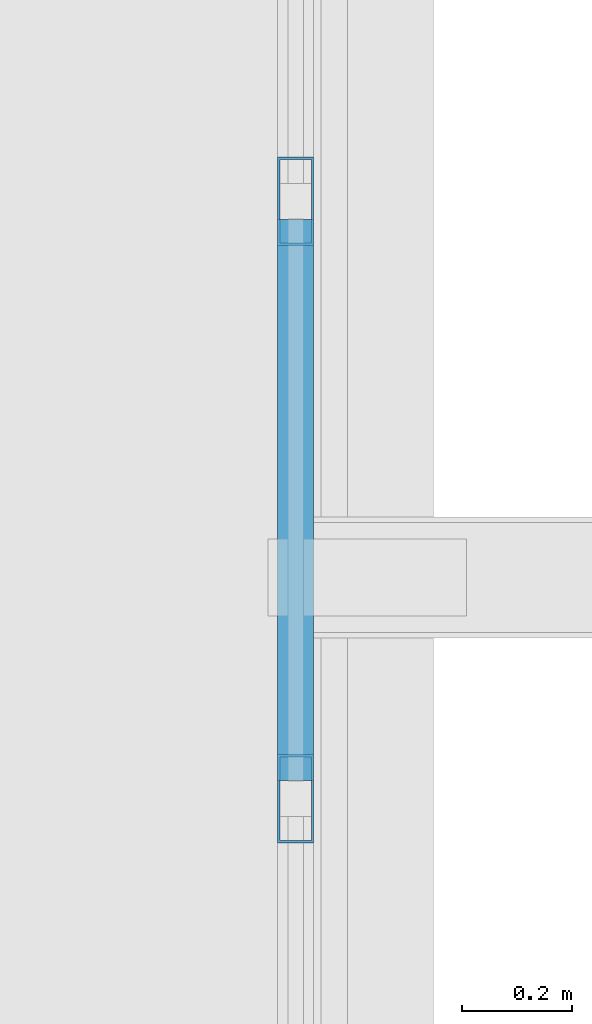
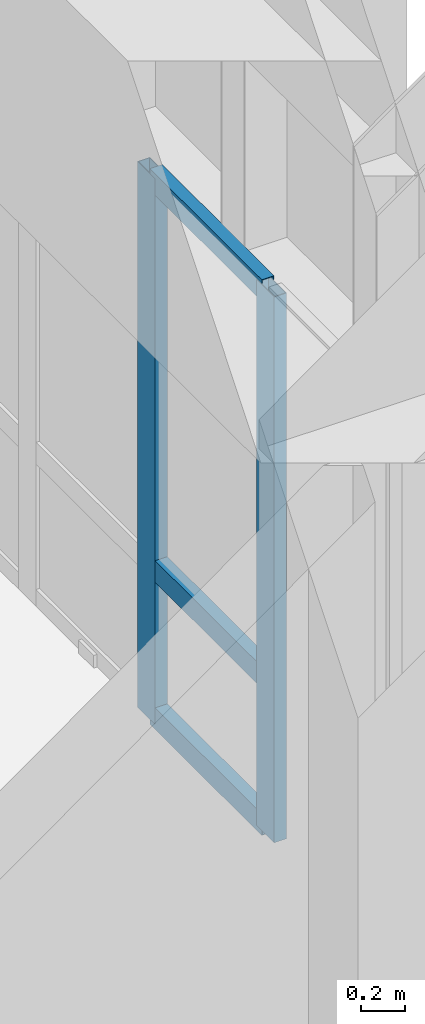
# One storey, part 46 of 101: 5 members, 1 element without a shape of its own.
"""IFC4 building model written with IfcOpenShell, lengths in metres."""

from ifc_helpers import new_model, si_unit, direction, frame, origin, origin_2d, place, context, subcontext, project, spatial, hollow_rectangle, extrude, material, layer, layer_set, material_profile, profile_set, type_object, element, aggregate, save


model = new_model("IFC4")

# Units and contexts
model_context = context("Model", 3, precision=1e-05, world=origin(), true_north=direction((0.0, 1.0)))
body_context = subcontext(model_context, "Body", "Model", "MODEL_VIEW")
ifc_project = project(units=[si_unit("LENGTHUNIT", "METRE"), si_unit("AREAUNIT", "SQUARE_METRE"), si_unit("VOLUMEUNIT", "CUBIC_METRE"), si_unit("PLANEANGLEUNIT", "RADIAN"), si_unit("MASSUNIT", "GRAM", prefix="KILO")], contexts=[model_context])

# Site, building, storey
site_placement = place(None, origin())
site = spatial("IfcSite", under=ifc_project, at=site_placement, CompositionType="ELEMENT")
building_placement = place(site_placement, origin())
building = spatial("IfcBuilding", under=site, at=building_placement, Name="Nakhvara Creek Congress Hotel", CompositionType="ELEMENT")
storey_placement = place(building_placement, frame((0.0, 0.0, 16.199951171875)))
storey = spatial("IfcBuildingStorey", under=building, at=storey_placement, Name="L03", CompositionType="ELEMENT", Elevation=16.199951171875)

# Curtain wall, members
ifc_material_1 = material(Name="Bronze-anodised aluminium AW-6063-T6 and double-silver low-E glass", Category="aluminium")
ifc_layer = layer(ifc_material_1, 0.199951171875)
ifc_layer_set = layer_set([ifc_layer], Name="Bronze-anodised aluminium AW-6063-T6 and double-silver low-E glass")
curtain_wall_type = type_object("IfcCurtainWallType", Name="CW-HTL-UNIT", PredefinedType="USERDEFINED", material=ifc_layer_set)
curtain_wall_placement = place(storey_placement, origin())
curtain_wall = element("IfcCurtainWall", 1, at=curtain_wall_placement, inside=storey, type_object=curtain_wall_type, Name="Curtain Wall CW161", ObjectType="UNITISED", PredefinedType="USERDEFINED")
ifc_material_2 = material(Name="Bronze-anodised aluminium AW-6063-T6", Category="aluminium")
ifc_material_profile_1 = material_profile(ifc_material_2, hollow_rectangle(XDim=0.06494140625, YDim=0.159912109375, WallThickness=0.00390625, at=origin_2d()), Name="ALU-MULL 65x160x4", Category="LoadBearing")
ifc_profile_set_1 = profile_set([ifc_material_profile_1], Name="Bronze-anodised aluminium AW-6063-T6")
member_type_1 = type_object("IfcMemberType", Name="CW-MULL-160", PredefinedType="MULLION", material=ifc_profile_set_1)
member_1_placement = place(storey_placement, frame((179.60009765625, 79.4326171875, 0.0), z_axis=(0.0, 0.0, 1.0), x_axis=(1.0, 0.0, 0.0)))
member_1 = element("IfcMember", 2, at=member_1_placement, type_object=member_type_1, Name="CW161 mullion 3", PredefinedType="MULLION", context=body_context, shape_type="SweptSolid", body=[
    extrude(hollow_rectangle(XDim=0.06494140625, YDim=0.159912109375, WallThickness=0.00390625, at=origin_2d()), origin(), (0.0, 0.0, 1.0), 3.031982421875),
])
member_2_placement = place(storey_placement, frame((179.60009765625, 78.3486328125, 0.0), z_axis=(0.0, 0.0, 1.0), x_axis=(1.0, 0.0, 0.0)))
member_2 = element("IfcMember", 3, at=member_2_placement, type_object=member_type_1, Name="CW161 mullion 4", PredefinedType="MULLION", context=body_context, shape_type="SweptSolid", body=[
    extrude(hollow_rectangle(XDim=0.06494140625, YDim=0.159912109375, WallThickness=0.00390625, at=origin_2d()), origin(), (0.0, 0.0, 1.0), 3.031982421875),
])
ifc_material_profile_2 = material_profile(ifc_material_2, hollow_rectangle(XDim=0.06494140625, YDim=0.1201171875, WallThickness=0.00390625, at=origin_2d()), Name="ALU-TRAN 65x120x4", Category="LoadBearing")
ifc_profile_set_2 = profile_set([ifc_material_profile_2], Name="Bronze-anodised aluminium AW-6063-T6")
member_type_2 = type_object("IfcMemberType", Name="CW-TRAN-120", PredefinedType="USERDEFINED", material=ifc_profile_set_2)
member_3_placement = place(storey_placement, frame((179.60009765625, 79.39990234375, 0.032470703125), z_axis=(0.0, -1.0, 0.0), x_axis=(1.0, 0.0, 0.0)))
member_3 = element("IfcMember", 4, at=member_3_placement, type_object=member_type_2, Name="CW161 transom 3.1", ObjectType="TRANSOM", PredefinedType="USERDEFINED", context=body_context, shape_type="SweptSolid", body=[
    extrude(hollow_rectangle(XDim=0.06494140625, YDim=0.1201171875, WallThickness=0.00390625, at=origin_2d()), origin(), (0.0, 0.0, 1.0), 1.0185546875),
])
member_4_placement = place(storey_placement, frame((179.60009765625, 79.39990234375, 0.85009765625), z_axis=(0.0, -1.0, 0.0), x_axis=(1.0, 0.0, 0.0)))
member_4 = element("IfcMember", 5, at=member_4_placement, type_object=member_type_2, Name="CW161 transom 3.2", ObjectType="TRANSOM", PredefinedType="USERDEFINED", context=body_context, shape_type="SweptSolid", body=[
    extrude(hollow_rectangle(XDim=0.06494140625, YDim=0.1201171875, WallThickness=0.00390625, at=origin_2d()), origin(), (0.0, 0.0, 1.0), 1.0185546875),
])
member_5_placement = place(storey_placement, frame((179.60009765625, 79.39990234375, 2.99951171875), z_axis=(0.0, -1.0, 0.0), x_axis=(1.0, 0.0, 0.0)))
member_5 = element("IfcMember", 6, at=member_5_placement, type_object=member_type_2, Name="CW161 transom 3.3", ObjectType="TRANSOM", PredefinedType="USERDEFINED", context=body_context, shape_type="SweptSolid", body=[
    extrude(hollow_rectangle(XDim=0.06494140625, YDim=0.1201171875, WallThickness=0.00390625, at=origin_2d()), origin(), (0.0, 0.0, 1.0), 1.0185546875),
])
aggregate(curtain_wall, [member_1, member_2, member_3, member_4, member_5])

save(model, "model.ifc")
